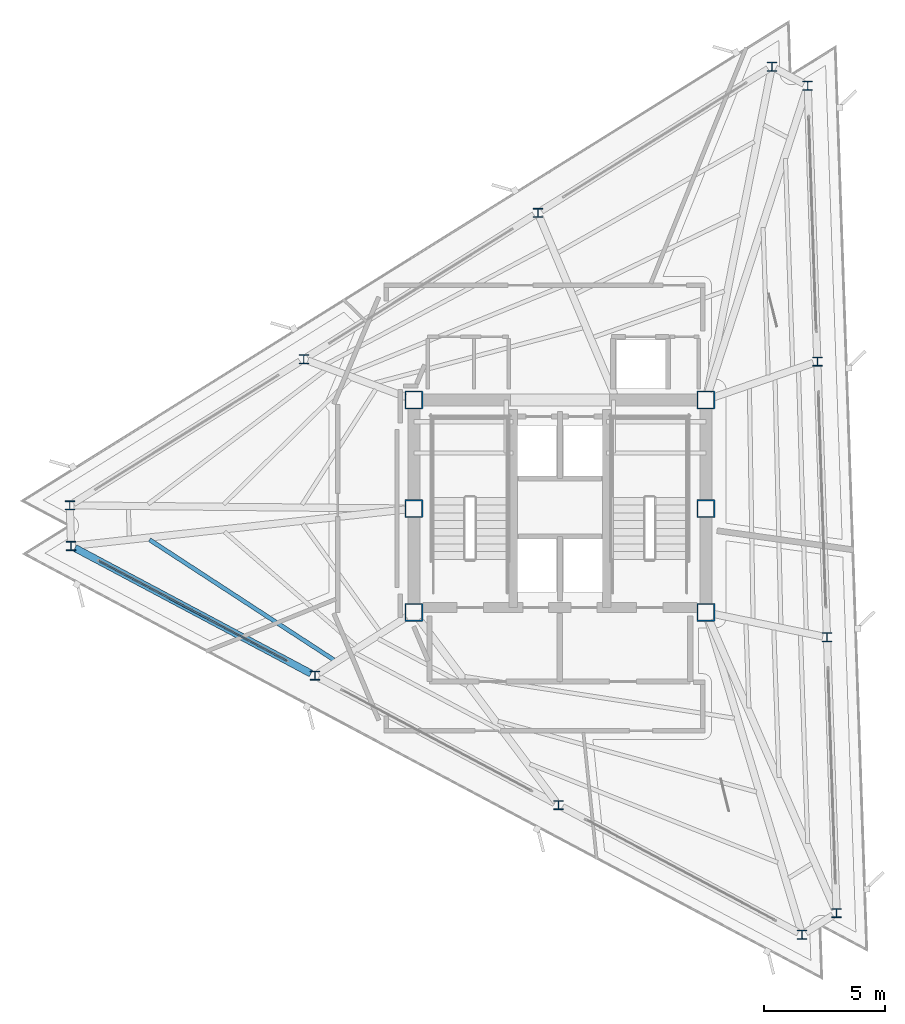
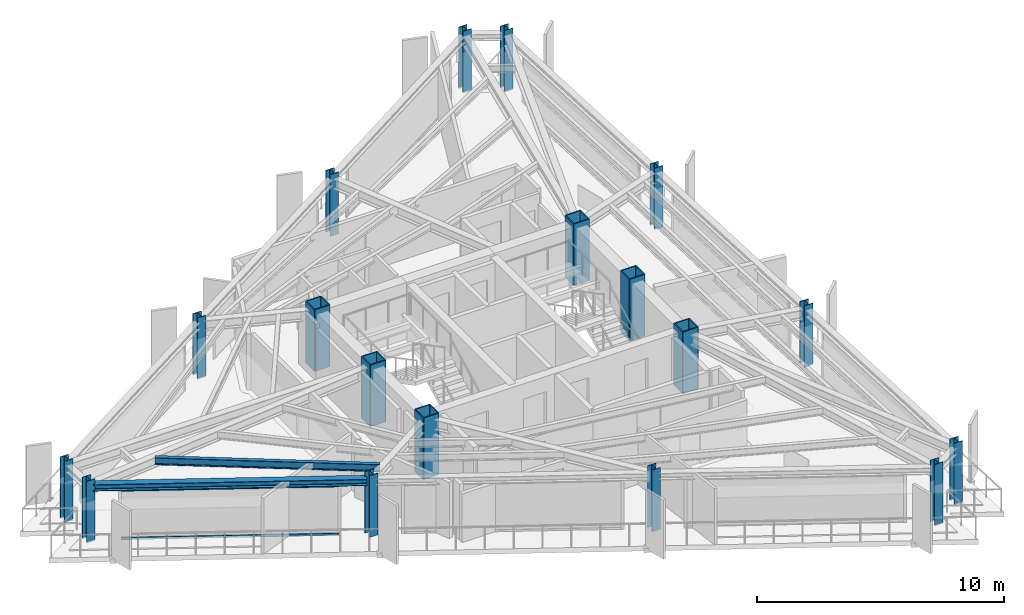
# One storey, part 1 of 12: 18 columns, 2 beams, 2 members, 1 element without a shape of its own.
"""IFC4 building model written with IfcOpenShell, lengths in metres."""

from ifc_helpers import new_model, si_unit, direction, frame, origin, origin_2d, place, context, subcontext, project, spatial, rectangle, hollow_rectangle, i_section, extrude, material, layer, layer_set, material_profile, profile_set, type_object, element, aggregate, save


model = new_model("IFC4")

# Units and contexts
model_context = context("Model", 3, precision=1e-05, world=origin(), true_north=direction((0.0, 1.0)))
body_context = subcontext(model_context, "Body", "Model", "MODEL_VIEW")
ifc_project = project(units=[si_unit("LENGTHUNIT", "METRE"), si_unit("AREAUNIT", "SQUARE_METRE"), si_unit("VOLUMEUNIT", "CUBIC_METRE"), si_unit("PLANEANGLEUNIT", "RADIAN"), si_unit("MASSUNIT", "GRAM", prefix="KILO")], contexts=[model_context])

# Site, building, storey
site_placement = place(None, origin())
site = spatial("IfcSite", under=ifc_project, at=site_placement, CompositionType="ELEMENT")
building_placement = place(site_placement, origin())
building = spatial("IfcBuilding", under=site, at=building_placement, Name="Rocaltana Carrier Exchange", CompositionType="ELEMENT")
storey_placement = place(building_placement, frame((0.0, 0.0, 205.760009765625)))
storey = spatial("IfcBuildingStorey", under=building, at=storey_placement, Name="L65", CompositionType="ELEMENT", Elevation=205.760009765625)

# Columns
ifc_material_1 = material(Name="Steel S460", Category="steel")
ifc_material_profile_1 = material_profile(ifc_material_1, hollow_rectangle(XDim=0.75, YDim=0.75, WallThickness=0.050048828125, InnerFilletRadius=0.02001953125, OuterFilletRadius=0.0400390625, at=origin_2d()), Name="BOX750X750X50")
ifc_profile_set_1 = profile_set([ifc_material_profile_1], Name="Steel S460")
column_type_1 = type_object("IfcColumnType", Name="Core Mega-Column BOX750", PredefinedType="COLUMN", material=ifc_profile_set_1)
for number, where, z_axis, x_axis, name in (
    (1, (-6.050048828125, 4.5, 0.0), (0.0, 0.0, 1.0), (1.0, 0.0, 0.0), "L65 Core Mega-Column MC1"),
    (2, (6.050048828125, 4.5, 0.0), (0.0, 0.0, 1.0), (1.0, 0.0, 0.0), "L65 Core Mega-Column MC2"),
    (3, (-6.050048828125, 0.0, 0.0), (0.0, 0.0, 1.0), (1.0, 0.0, 0.0), "L65 Core Mega-Column MC3"),
    (4, (6.050048828125, 0.0, 0.0), (0.0, 0.0, 1.0), (1.0, 0.0, 0.0), "L65 Core Mega-Column MC4"),
    (5, (-6.050048828125, -4.300048828125, 0.0), (0.0, 0.0, 1.0), (1.0, 0.0, 0.0), "L65 Core Mega-Column MC5"),
    (6, (6.050048828125, -4.300048828125, 0.0), (0.0, 0.0, 1.0), (1.0, 0.0, 0.0), "L65 Core Mega-Column MC6"),
):
    element("IfcColumn", number, at=place(storey_placement, frame(where, z_axis=z_axis, x_axis=x_axis)), inside=storey, type_object=column_type_1, Name=name, PredefinedType="COLUMN", context=body_context, shape_type="SweptSolid", body=[
        extrude(hollow_rectangle(XDim=0.75, YDim=0.75, WallThickness=0.050048828125, InnerFilletRadius=0.02001953125, OuterFilletRadius=0.0400390625, at=origin_2d()), origin(), (0.0, 0.0, 1.0), 3.0400390625),
    ])
ifc_material_2 = material(Name="Steel S355", Category="steel")
ifc_material_profile_2 = material_profile(ifc_material_2, i_section(OverallWidth=0.39404296875, OverallDepth=0.375, WebThickness=0.017333984375, FlangeThickness=0.027587890625, FilletRadius=0.01611328125, at=origin_2d()), Name="W14X145")
ifc_profile_set_2 = profile_set([ifc_material_profile_2], Name="Steel S355")
column_type_2 = type_object("IfcColumnType", Name="Perimeter Column W14X145", PredefinedType="COLUMN", material=ifc_profile_set_2)
for number, where, z_axis, x_axis, name in (
    (7, (11.46630859375, -16.760009765625, 0.0), (0.0, 0.0, 1.0), (1.0, 0.0, 0.0), "L65 Perimeter Column TC01"),
    (8, (11.067138671875, -5.333740234375, 0.0), (0.0, 0.0, 1.0), (1.0, 0.0, 0.0), "L65 Perimeter Column TC02"),
    (9, (10.668212890625, 6.0927734375, 0.0), (0.0, 0.0, 1.0), (1.0, 0.0, 0.0), "L65 Perimeter Column TC03"),
    (10, (10.269287109375, 17.51904296875, 0.0), (0.0, 0.0, 1.0), (1.0, 0.0, 0.0), "L65 Perimeter Column TC04"),
    (11, (8.781494140625, 18.31005859375, 0.0), (0.0, 0.0, 1.0), (1.0, 0.0, 0.0), "L65 Perimeter Column TC05"),
    (12, (-0.91455078125, 12.251220703125, 0.0), (0.0, 0.0, 1.0), (1.0, 0.0, 0.0), "L65 Perimeter Column TC06"),
    (13, (-10.610595703125, 6.192626953125, 0.0), (0.0, 0.0, 1.0), (1.0, 0.0, 0.0), "L65 Perimeter Column TC07"),
    (14, (-20.306640625, 0.1337890625, 0.0), (0.0, 0.0, 1.0), (1.0, 0.0, 0.0), "L65 Perimeter Column TC08"),
    (15, (-20.247802734375, -1.550048828125, 0.0), (0.0, 0.0, 1.0), (1.0, 0.0, 0.0), "L65 Perimeter Column TC09"),
    (16, (-10.152587890625, -6.917724609375, 0.0), (0.0, 0.0, 1.0), (1.0, 0.0, 0.0), "L65 Perimeter Column TC10"),
    (17, (-0.0576171875, -12.285400390625, 0.0), (0.0, 0.0, 1.0), (1.0, 0.0, 0.0), "L65 Perimeter Column TC11"),
    (18, (10.037353515625, -17.65283203125, 0.0), (0.0, 0.0, 1.0), (1.0, 0.0, 0.0), "L65 Perimeter Column TC12"),
):
    element("IfcColumn", number, at=place(storey_placement, frame(where, z_axis=z_axis, x_axis=x_axis)), inside=storey, type_object=column_type_2, Name=name, PredefinedType="COLUMN", context=body_context, shape_type="SweptSolid", body=[
        extrude(i_section(OverallWidth=0.39404296875, OverallDepth=0.375, WebThickness=0.017333984375, FlangeThickness=0.027587890625, FilletRadius=0.01611328125, at=origin_2d()), origin(), (0.0, 0.0, 1.0), 3.0400390625),
    ])

# Curtain wall, members
ifc_material_3 = material(Name="Aluminium 6063-T6", Category="aluminium")
ifc_layer = layer(ifc_material_3, 0.1201171875)
ifc_layer_set = layer_set([ifc_layer], Name="Aluminium 6063-T6")
curtain_wall_type = type_object("IfcCurtainWallType", Name="High-Altitude Thermal Curtain Wall CW-05", PredefinedType="NOTDEFINED", material=ifc_layer_set)
curtain_wall_placement = place(storey_placement, origin())
curtain_wall = element("IfcCurtainWall", 19, at=curtain_wall_placement, inside=storey, type_object=curtain_wall_type, Name="L65 CW-05 Run CW-L65-F3S1", PredefinedType="NOTDEFINED")
ifc_material_4 = material(Name="Aluminium 6063-T6", Category="aluminium")
ifc_material_profile_3 = material_profile(ifc_material_4, rectangle(XDim=0.06005859375, YDim=0.1201171875, at=origin_2d()), Name="AL-60X120")
ifc_profile_set_3 = profile_set([ifc_material_profile_3], Name="Aluminium 6063-T6")
member_type = type_object("IfcMemberType", Name="CW-05 Transom AL-60X120", PredefinedType="USERDEFINED", material=ifc_profile_set_3)
member_1_placement = place(storey_placement, frame((-19.091064453125, -2.1650390625, 0.030029296875), z_axis=(0.882944221824, -0.469477902726, 0.0), x_axis=(0.469477902726, 0.882944221824, 0.0)))
member_1 = element("IfcMember", 20, at=member_1_placement, type_object=member_type, Name="CW-05 transom 1.1", ObjectType="TRANSOM", PredefinedType="USERDEFINED", context=body_context, shape_type="SweptSolid", body=[
    extrude(rectangle(XDim=0.06005859375, YDim=0.1201171875, at=origin_2d()), origin(), (0.0, 0.0, 1.0), 8.8134765625),
])
member_2_placement = place(storey_placement, frame((-19.091064453125, -2.1650390625, 2.41796875), z_axis=(0.882944221824, -0.469477902726, 0.0), x_axis=(0.469477902726, 0.882944221824, 0.0)))
member_2 = element("IfcMember", 21, at=member_2_placement, type_object=member_type, Name="CW-05 transom 1.2", ObjectType="TRANSOM", PredefinedType="USERDEFINED", context=body_context, shape_type="SweptSolid", body=[
    extrude(rectangle(XDim=0.06005859375, YDim=0.1201171875, at=origin_2d()), origin(), (0.0, 0.0, 1.0), 8.8134765625),
])
aggregate(curtain_wall, [member_1, member_2])

# Beams
ifc_material_5 = material(Name="Steel S355", Category="steel")
ifc_material_profile_4 = material_profile(ifc_material_5, i_section(OverallWidth=0.172119140625, OverallDepth=0.35791015625, WebThickness=0.0078125, FlangeThickness=0.01318359375, FilletRadius=0.011962890625, at=origin_2d()), Name="W14X38")
ifc_profile_set_4 = profile_set([ifc_material_profile_4], Name="Steel S355")
beam_type_1 = type_object("IfcBeamType", Name="Floor Joist W14X38", PredefinedType="JOIST", material=ifc_profile_set_4)
beam_1_placement = place(storey_placement, frame((-17.003662109375, -1.28759765625, 2.618896484375), z_axis=(0.837735841747, -0.546075690223, 0.0), x_axis=(0.546075690223, 0.837735841747, 0.0)))
element("IfcBeam", 22, at=beam_1_placement, inside=storey, type_object=beam_type_1, Name="FJ-L65-09-3", PredefinedType="JOIST", context=body_context, shape_type="SweptSolid", body=[
    extrude(i_section(OverallWidth=0.172119140625, OverallDepth=0.35791015625, WebThickness=0.0078125, FlangeThickness=0.01318359375, FilletRadius=0.011962890625, at=origin_2d()), origin(), (0.0, 0.0, 1.0), 9.111572265625),
])
ifc_material_6 = material(Name="Steel S355", Category="steel")
ifc_material_profile_5 = material_profile(ifc_material_6, i_section(OverallWidth=0.300048828125, OverallDepth=0.320068359375, WebThickness=0.011474609375, FlangeThickness=0.0205078125, FilletRadius=0.027099609375, at=origin_2d()), Name="HEB320")
ifc_profile_set_5 = profile_set([ifc_material_profile_5], Name="Steel S355")
beam_type_2 = type_object("IfcBeamType", Name="Spandrel Edge Beam HEB320", PredefinedType="SPANDREL", material=ifc_profile_set_5)
beam_2_placement = place(storey_placement, frame((-20.08935546875, -1.63427734375, 2.637939453125), z_axis=(0.882942972946, -0.469480251476, 0.0), x_axis=(0.469480251476, 0.882942972946, 0.0)))
element("IfcBeam", 23, at=beam_2_placement, inside=storey, type_object=beam_type_2, Name="SP-L65-09", PredefinedType="SPANDREL", context=body_context, shape_type="SweptSolid", body=[
    extrude(i_section(OverallWidth=0.300048828125, OverallDepth=0.320068359375, WebThickness=0.011474609375, FlangeThickness=0.0205078125, FilletRadius=0.027099609375, at=origin_2d()), origin(), (0.0, 0.0, 1.0), 11.074462890625),
])

save(model, "model.ifc")
